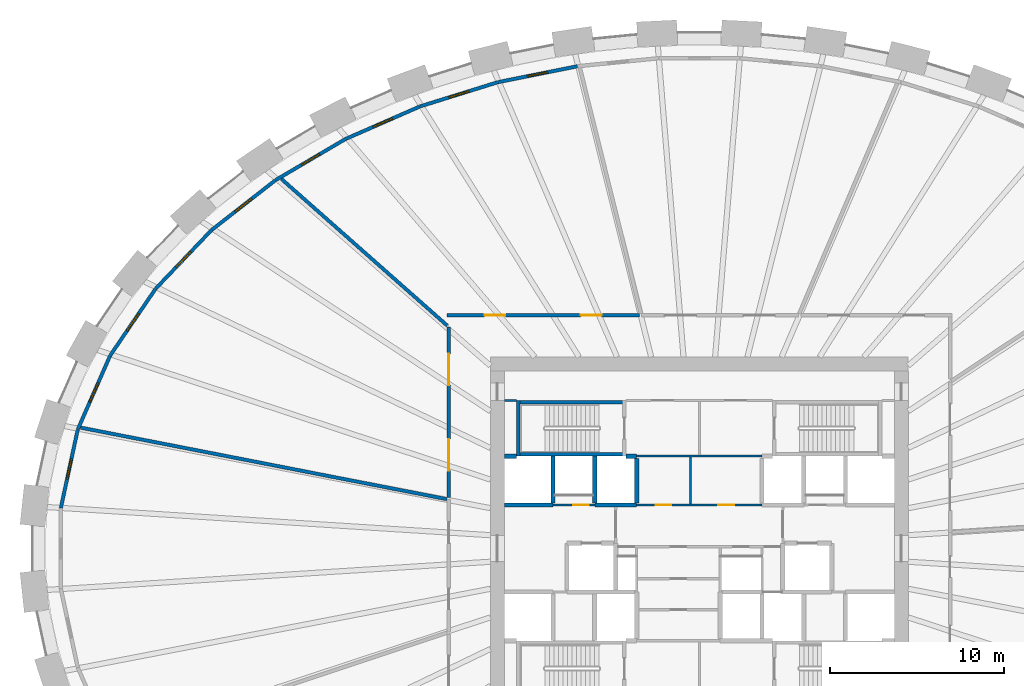
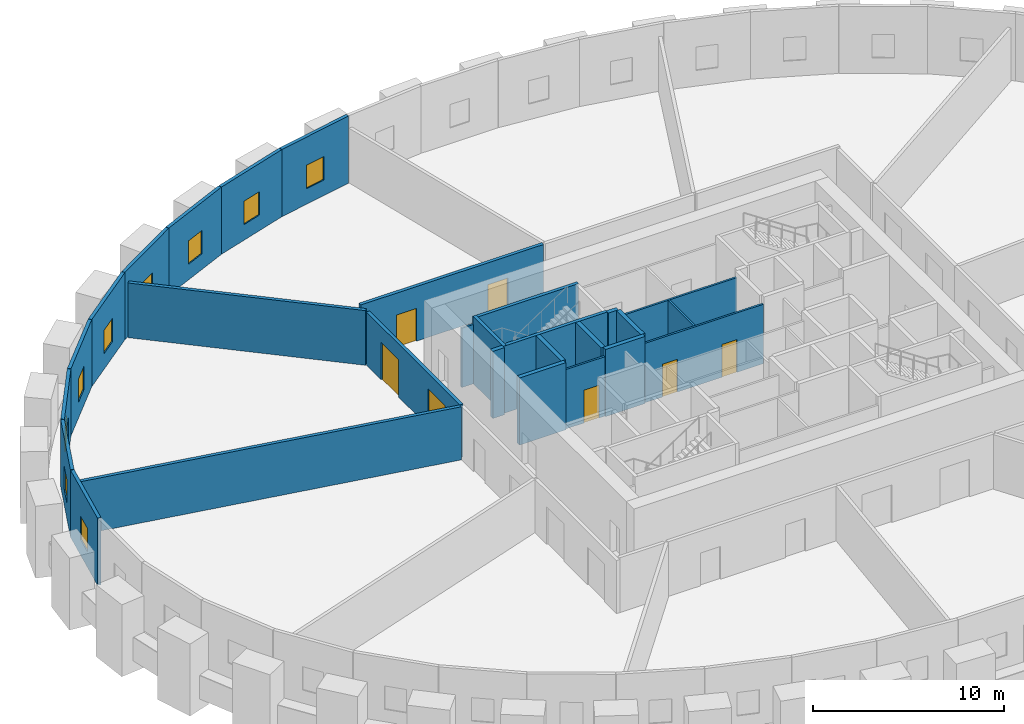
# One storey, part 6 of 9: 28 walls, 9 windows, 7 doors, 16 openings.
"""IFC4 building model written with IfcOpenShell, lengths in metres."""

import ifcopenshell
import ifcopenshell.guid

model = None  # the IFC model being written
_history = None  # IfcOwnerHistory: only IFC2X3 demands one
_inside = {}  # id of a spatial element -> (the spatial element, [elements in it])
_under = {}  # id of a project, library or spatial element -> (it, [spatial elements below it])
_declared = {}  # id of a project -> (the project, [libraries it declares])
_typed = {}  # id of a type object -> (the type object, [elements of that type])
_made_of = {}  # id of a material, layer set ... -> (it, [elements and type objects made of it])


def new_model(schema):
    """Start an empty IFC model of exactly this schema.

    Asked for "IFC4X3", IfcOpenShell would pick the latest addendum, in which some entities
    have other attributes; the version numbers below select the first issue.
    IFC2X3 requires an IfcOwnerHistory on every rooted entity: one is made here for all.
    """
    global model, _history
    if schema == "IFC4X3":
        model = ifcopenshell.file(schema_version=(4, 3, 0, 0))
    else:
        model = ifcopenshell.file(schema=schema)
    _inside.clear()
    _under.clear()
    _declared.clear()
    _typed.clear()
    _made_of.clear()
    _history = None
    if model.schema == "IFC2X3":
        org = make("IfcOrganization", Name="unknown")
        user = make(
            "IfcPersonAndOrganization",
            ThePerson=make("IfcPerson", FamilyName="unknown"),
            TheOrganization=org,
        )
        app = make(
            "IfcApplication",
            ApplicationDeveloper=org,
            Version="unknown",
            ApplicationFullName="unknown",
            ApplicationIdentifier="unknown",
        )
        _history = make(
            "IfcOwnerHistory",
            OwningUser=user,
            OwningApplication=app,
            ChangeAction="ADDED",
            CreationDate=0,
        )
    return model


def make(cls, **values):
    """One entity of the class cls with the attributes given. An attribute that is None is left unset."""
    return model.create_entity(
        cls, **{name: value for name, value in values.items() if value is not None}
    )


def rooted(cls, **values):
    """An entity with a GlobalId (a new one), such as an element, a storey or a relation."""
    return make(cls, GlobalId=ifcopenshell.guid.new(), OwnerHistory=_history, **values)


def si_unit(unit_type, name, prefix=None):
    """IfcSIUnit, for example si_unit("LENGTHUNIT", "METRE", prefix="MILLI")."""
    return make("IfcSIUnit", UnitType=unit_type, Prefix=prefix, Name=name)


def assignment(units):
    """IfcUnitAssignment: the units of a project."""
    return None if units is None else make("IfcUnitAssignment", Units=units)


def point(xyz):
    """IfcCartesianPoint."""
    return None if xyz is None else make("IfcCartesianPoint", Coordinates=xyz)


def direction(xyz):
    """IfcDirection."""
    return None if xyz is None else make("IfcDirection", DirectionRatios=xyz)


def frame(location, z_axis=None, x_axis=None):
    """IfcAxis2Placement3D, a coordinate frame: its origin and axes. An axis left out is left unset."""
    return make(
        "IfcAxis2Placement3D",
        Location=point(location),
        Axis=direction(z_axis),
        RefDirection=direction(x_axis),
    )


def frame_2d(location, x_axis=None):
    """IfcAxis2Placement2D, a coordinate frame in the plane: its origin and x axis."""
    return make(
        "IfcAxis2Placement2D", Location=point(location), RefDirection=direction(x_axis)
    )


def origin():
    """The frame at (0, 0, 0) with its axes left unset."""
    return frame((0.0, 0.0, 0.0))


def place(relative_to, where):
    """IfcLocalPlacement: puts the frame where relative to a parent placement (None: the world)."""
    return make(
        "IfcLocalPlacement", PlacementRelTo=relative_to, RelativePlacement=where
    )


def context(
    kind, dimensions, precision=None, world=None, true_north=None, identifier=None
):
    """IfcGeometricRepresentationContext, for example the 3D "Model" context."""
    return make(
        "IfcGeometricRepresentationContext",
        ContextIdentifier=identifier,
        ContextType=kind,
        CoordinateSpaceDimension=dimensions,
        Precision=precision,
        WorldCoordinateSystem=world,
        TrueNorth=true_north,
    )


def subcontext(parent, identifier, kind, view, scale=None):
    """IfcGeometricRepresentationSubContext, for example "Body" below "Model"."""
    return make(
        "IfcGeometricRepresentationSubContext",
        ContextIdentifier=identifier,
        ContextType=kind,
        ParentContext=parent,
        TargetScale=scale,
        TargetView=view,
    )


def project(units=None, contexts=None):
    """IfcProject with its units and contexts."""
    return rooted(
        "IfcProject",
        Name="project",
        RepresentationContexts=contexts,
        UnitsInContext=assignment(units),
    )


def spatial(cls, under=None, at=None, **own):
    """A site, building, storey or space (cls), placed at a placement, below another one or the project."""
    s = rooted(cls, ObjectPlacement=at, **own)
    if under is not None:
        _under.setdefault(under.id(), (under, []))[1].append(s)
    return s


def profile(cls, at=None, kind="AREA", **sizes):
    """A parametric profile (cls). Its sizes go by their IFC names, for example OverallWidth=200.0."""
    return make(cls, ProfileType=kind, Position=at, **sizes)


def rectangle(**sizes):
    """IfcRectangleProfileDef."""
    return profile("IfcRectangleProfileDef", **sizes)


def extrude(swept, where, along, depth):
    """IfcExtrudedAreaSolid: the profile swept, set in the frame where, extruded along a direction by depth."""
    return make(
        "IfcExtrudedAreaSolid",
        SweptArea=swept,
        Position=where,
        ExtrudedDirection=direction(along),
        Depth=depth,
    )


def shape(context_of_items, identifier, shape_type, items):
    """IfcShapeRepresentation: the items that make up one representation, for example the "Body"."""
    return make(
        "IfcShapeRepresentation",
        ContextOfItems=context_of_items,
        RepresentationIdentifier=identifier,
        RepresentationType=shape_type,
        Items=items,
    )


def source(mapping_origin, context_of_items, identifier, shape_type, items):
    """IfcRepresentationMap: a shape defined once, which mapped items show again and again."""
    return make(
        "IfcRepresentationMap",
        MappingOrigin=mapping_origin,
        MappedRepresentation=shape(context_of_items, identifier, shape_type, items),
    )


def transform(
    local_origin,
    x_axis=None,
    y_axis=None,
    z_axis=None,
    scale=None,
    scale2=None,
    scale3=None,
    uniform=True,
):
    """IfcCartesianTransformationOperator3D, or its non-uniform kind. x_axis, y_axis, z_axis: its Axis1, 2, 3."""
    if uniform:
        return make(
            "IfcCartesianTransformationOperator3D",
            Axis1=direction(x_axis),
            Axis2=direction(y_axis),
            LocalOrigin=point(local_origin),
            Scale=scale,
            Axis3=direction(z_axis),
        )
    return make(
        "IfcCartesianTransformationOperator3DnonUniform",
        Axis1=direction(x_axis),
        Axis2=direction(y_axis),
        LocalOrigin=point(local_origin),
        Scale=scale,
        Axis3=direction(z_axis),
        Scale2=scale2,
        Scale3=scale3,
    )


def mapped(mapping_source, mapping_target):
    """IfcMappedItem: shows the shape of a source again, moved by a transform."""
    return make(
        "IfcMappedItem", MappingSource=mapping_source, MappingTarget=mapping_target
    )


def material(Name=None, Category=None):
    """IfcMaterial."""
    return make("IfcMaterial", Name=Name, Category=Category)


def layer(
    of_material, thickness, ventilated=None, Name=None, Category=None, Priority=None
):
    """IfcMaterialLayer: one layer of a wall or slab, of a material (None: an air gap)."""
    return make(
        "IfcMaterialLayer",
        Material=of_material,
        LayerThickness=thickness,
        IsVentilated=ventilated,
        Name=Name,
        Category=Category,
        Priority=Priority,
    )


def layer_set(layers, Name=None):
    """IfcMaterialLayerSet."""
    return make("IfcMaterialLayerSet", MaterialLayers=layers, LayerSetName=Name)


def made_of(thing, what):
    """Note that an element or type object is made of a material, layer set ...; save() writes the relation."""
    if what is not None:
        _made_of.setdefault(what.id(), (what, []))[1].append(thing)
    return thing


def type_object(cls, material=None, **own):
    """A type object (cls), such as IfcWallType, which elements share."""
    return made_of(rooted(cls, **own), material)


def element(
    cls,
    number,
    at=None,
    inside=None,
    cuts=None,
    type_object=None,
    material=None,
    context=None,
    identifier="Body",
    shape_type=None,
    held_by="IfcProductDefinitionShape",
    body=None,
    shapes=None,
    **own,
):
    """One element of the class cls, such as IfcWall. Its Tag is "e" and its number.

    at: its placement. inside: the storey or other place that contains it. cuts: it is an
    opening in that element (IfcRelVoidsElement). A single representation is given by context,
    identifier, shape_type and body (its items); several are given by shapes. held_by: the class
    of the entity that holds the representations. save() writes the other relations.
    """
    e = rooted(cls, Tag="e%d" % number, ObjectPlacement=at, **own)
    if body is not None:
        shapes = [shape(context, identifier, shape_type, body)]
    if shapes is not None:
        e.Representation = make(held_by, Representations=shapes)
    if inside is not None:
        _inside.setdefault(inside.id(), (inside, []))[1].append(e)
    if cuts is not None:
        rooted(
            "IfcRelVoidsElement", RelatingBuildingElement=cuts, RelatedOpeningElement=e
        )
    if type_object is not None:
        _typed.setdefault(type_object.id(), (type_object, []))[1].append(e)
    return made_of(e, material)


def fill(opening, filler):
    """IfcRelFillsElement: the door or window that sits in an opening."""
    return rooted(
        "IfcRelFillsElement",
        RelatingOpeningElement=opening,
        RelatedBuildingElement=filler,
    )


def aggregate(whole, parts):
    """IfcRelAggregates: a whole, such as a stair, and the parts it consists of."""
    return rooted("IfcRelAggregates", RelatingObject=whole, RelatedObjects=parts)


def save(model, path):
    """Write the relations noted so far, then the file.

    IfcRelAggregates (storeys below a building ...), IfcRelContainedInSpatialStructure (elements
    in a storey), IfcRelDefinesByType, IfcRelAssociatesMaterial and IfcRelDeclares: one each for
    every whole, place, type object, material and project.
    """
    for whole, parts in _under.values():
        aggregate(whole, parts)
    for where, things in _inside.values():
        rooted(
            "IfcRelContainedInSpatialStructure",
            RelatedElements=things,
            RelatingStructure=where,
        )
    for kind, things in _typed.values():
        rooted("IfcRelDefinesByType", RelatedObjects=things, RelatingType=kind)
    for what, things in _made_of.values():
        rooted("IfcRelAssociatesMaterial", RelatedObjects=things, RelatingMaterial=what)
    for by, libraries in _declared.values():
        rooted("IfcRelDeclares", RelatingContext=by, RelatedDefinitions=libraries)
    model.write(path)


model = new_model("IFC4")

# Units and contexts
model_context = context("Model", 3, precision=1e-05, world=origin(), true_north=direction((0.0, 1.0)))
body_context = subcontext(model_context, "Body", "Model", "MODEL_VIEW")
ifc_project = project(units=[si_unit("LENGTHUNIT", "METRE"), si_unit("AREAUNIT", "SQUARE_METRE"), si_unit("VOLUMEUNIT", "CUBIC_METRE"), si_unit("PLANEANGLEUNIT", "RADIAN"), si_unit("MASSUNIT", "GRAM", prefix="KILO")], contexts=[model_context])

# Site, building, storey
site_placement = place(None, origin())
site = spatial("IfcSite", under=ifc_project, at=site_placement, CompositionType="ELEMENT")
building_placement = place(site_placement, origin())
building = spatial("IfcBuilding", under=site, at=building_placement, Name="Embergate Tower", CompositionType="ELEMENT")
storey_placement = place(building_placement, frame((0.0, 0.0, 147.60009765625)))
storey = spatial("IfcBuildingStorey", under=building, at=storey_placement, Name="L32", CompositionType="ELEMENT", Elevation=147.60009765625)

# Wall, opening, window
ifc_material_1 = material(Name="Terracotta louvre cladding on insulated backing", Category="masonry")
ifc_layer_1 = layer(ifc_material_1, 0.199951171875)
ifc_layer_set_1 = layer_set([ifc_layer_1], Name="Terracotta louvre cladding on insulated backing")
wall_type_1 = type_object("IfcWallType", Name="Terracotta louvre wall", PredefinedType="SOLIDWALL", material=ifc_layer_set_1)
shared_shape_1 = source(origin(), body_context, "Body", "SweptSolid", [
    extrude(rectangle(XDim=4.60693359375, YDim=0.199951171875, at=frame_2d((2.303466796875, 0.0))), origin(), (0.0, 0.0, 1.0), 4.2998046875),
])
wall_1_placement = place(storey_placement, frame((-36.6708984375, 2.322021484375, 0.0), z_axis=(0.0, 0.0, 1.0), x_axis=(0.210383104488, 0.977619020552, 0.0)))
wall_1 = element("IfcWall", 1, at=wall_1_placement, inside=storey, type_object=wall_type_1, Name="Louvre wall 21", PredefinedType="SOLIDWALL", context=body_context, shape_type="MappedRepresentation", body=[
    mapped(shared_shape_1, transform((0.0, 0.0, 0.0))),
])
shared_shape_2 = source(origin(), body_context, "Body", "SweptSolid", [
    extrude(rectangle(XDim=1.199951171875, YDim=1.5, at=frame_2d((0.60009765625, 0.75))), frame((0.0, 0.10986328125, 0.0), z_axis=(0.0, -1.0, 0.0), x_axis=(1.0, 0.0, 0.0)), (0.0, 0.0, 1.0), 0.219970703125),
])
opening_1_placement = place(wall_1_placement, frame((1.70361328125, 0.0, 1.0)))
opening_1 = element("IfcOpeningElement", 2, at=opening_1_placement, cuts=wall_1, Name="Opening RW", PredefinedType="OPENING", context=body_context, shape_type="MappedRepresentation", body=[
    mapped(shared_shape_2, transform((0.0, 0.0, 0.0))),
])
ifc_material_2 = material(Name="Aluminium, thermally broken, triple glazed", Category="aluminium")
window_type = type_object("IfcWindowType", Name="Refuge operable window", PartitioningType="SINGLE_PANEL", PredefinedType="WINDOW", material=ifc_material_2)
shared_shape_3 = source(origin(), body_context, "Body", "SweptSolid", [
    extrude(rectangle(XDim=1.199951171875, YDim=1.5, at=frame_2d((0.60009765625, 0.75))), frame((0.0, 0.030029296875, 0.0), z_axis=(0.0, -1.0, 0.0), x_axis=(1.0, 0.0, 0.0)), (0.0, 0.0, 1.0), 0.06005859375),
])
window_1_placement = place(opening_1_placement, origin())
window_1 = element("IfcWindow", 3, at=window_1_placement, inside=storey, type_object=window_type, Name="Refuge window 21", OverallHeight=1.5, OverallWidth=1.199951171875, PartitioningType="SINGLE_PANEL", PredefinedType="WINDOW", context=body_context, shape_type="MappedRepresentation", body=[
    mapped(shared_shape_3, transform((0.0, 0.0, 0.0))),
])
fill(opening_1, window_1)

shared_shape_4 = source(origin(), body_context, "Body", "SweptSolid", [
    extrude(rectangle(XDim=4.6142578125, YDim=0.199951171875, at=frame_2d((2.30712890625, 0.0))), origin(), (0.0, 0.0, 1.0), 4.2998046875),
])
wall_2_placement = place(storey_placement, frame((-35.695556640625, 6.844970703125, 0.0), z_axis=(0.0, 0.0, 1.0), x_axis=(0.40163191284, 0.915801182893, 0.0)))
wall_2 = element("IfcWall", 4, at=wall_2_placement, inside=storey, type_object=wall_type_1, Name="Louvre wall 20", PredefinedType="SOLIDWALL", context=body_context, shape_type="MappedRepresentation", body=[
    mapped(shared_shape_4, transform((0.0, 0.0, 0.0))),
])
opening_2_placement = place(wall_2_placement, frame((1.70703125, 0.0, 1.0)))
opening_2 = element("IfcOpeningElement", 5, at=opening_2_placement, cuts=wall_2, Name="Opening RW", PredefinedType="OPENING", context=body_context, shape_type="MappedRepresentation", body=[
    mapped(shared_shape_2, transform((0.0, 0.0, 0.0))),
])
window_2_placement = place(opening_2_placement, origin())
window_2 = element("IfcWindow", 6, at=window_2_placement, inside=storey, type_object=window_type, Name="Refuge window 20", OverallHeight=1.5, OverallWidth=1.199951171875, PartitioningType="SINGLE_PANEL", PredefinedType="WINDOW", context=body_context, shape_type="MappedRepresentation", body=[
    mapped(shared_shape_3, transform((0.0, 0.0, 0.0))),
])
fill(opening_2, window_2)

shared_shape_5 = source(origin(), body_context, "Body", "SweptSolid", [
    extrude(rectangle(XDim=4.623291015625, YDim=0.199951171875, at=frame_2d((2.3115234375, 0.0))), origin(), (0.0, 0.0, 1.0), 4.2998046875),
])
wall_3_placement = place(storey_placement, frame((-33.83251953125, 11.088134765625, 0.0), z_axis=(0.0, 0.0, 1.0), x_axis=(0.562341797636, 0.826904893341, 0.0)))
wall_3 = element("IfcWall", 7, at=wall_3_placement, inside=storey, type_object=wall_type_1, Name="Louvre wall 19", PredefinedType="SOLIDWALL", context=body_context, shape_type="MappedRepresentation", body=[
    mapped(shared_shape_5, transform((0.0, 0.0, 0.0))),
])
opening_3_placement = place(wall_3_placement, frame((1.711669921875, 0.0, 1.0)))
opening_3 = element("IfcOpeningElement", 8, at=opening_3_placement, cuts=wall_3, Name="Opening RW", PredefinedType="OPENING", context=body_context, shape_type="MappedRepresentation", body=[
    mapped(shared_shape_2, transform((0.0, 0.0, 0.0))),
])
window_3_placement = place(opening_3_placement, origin())
window_3 = element("IfcWindow", 9, at=window_3_placement, inside=storey, type_object=window_type, Name="Refuge window 19", OverallHeight=1.5, OverallWidth=1.199951171875, PartitioningType="SINGLE_PANEL", PredefinedType="WINDOW", context=body_context, shape_type="MappedRepresentation", body=[
    mapped(shared_shape_3, transform((0.0, 0.0, 0.0))),
])
fill(opening_3, window_3)

shared_shape_6 = source(origin(), body_context, "Body", "SweptSolid", [
    extrude(rectangle(XDim=4.63232421875, YDim=0.199951171875, at=frame_2d((2.316162109375, 0.0))), origin(), (0.0, 0.0, 1.0), 4.2998046875),
])
wall_4_placement = place(storey_placement, frame((-31.22021484375, 14.926513671875, 0.0), z_axis=(0.0, 0.0, 1.0), x_axis=(0.690148517333, 0.723667758037, 0.0)))
wall_4 = element("IfcWall", 10, at=wall_4_placement, inside=storey, type_object=wall_type_1, Name="Louvre wall 18", PredefinedType="SOLIDWALL", context=body_context, shape_type="MappedRepresentation", body=[
    mapped(shared_shape_6, transform((0.0, 0.0, 0.0))),
])
opening_4_placement = place(wall_4_placement, frame((1.716064453125, 0.0, 1.0)))
opening_4 = element("IfcOpeningElement", 11, at=opening_4_placement, cuts=wall_4, Name="Opening RW", PredefinedType="OPENING", context=body_context, shape_type="MappedRepresentation", body=[
    mapped(shared_shape_2, transform((0.0, 0.0, 0.0))),
])
window_4_placement = place(opening_4_placement, origin())
window_4 = element("IfcWindow", 12, at=window_4_placement, inside=storey, type_object=window_type, Name="Refuge window 18", OverallHeight=1.5, OverallWidth=1.199951171875, PartitioningType="SINGLE_PANEL", PredefinedType="WINDOW", context=body_context, shape_type="MappedRepresentation", body=[
    mapped(shared_shape_3, transform((0.0, 0.0, 0.0))),
])
fill(opening_4, window_4)

shared_shape_7 = source(origin(), body_context, "Body", "SweptSolid", [
    extrude(rectangle(XDim=4.639892578125, YDim=0.199951171875, at=frame_2d((2.31982421875, 0.0))), origin(), (0.0, 0.0, 1.0), 4.2998046875),
])
wall_5_placement = place(storey_placement, frame((-28.008544921875, 18.292236328125, 0.0), z_axis=(0.0, 0.0, 1.0), x_axis=(0.788322630582, 0.615262082459, 0.0)))
wall_5 = element("IfcWall", 13, at=wall_5_placement, inside=storey, type_object=wall_type_1, Name="Louvre wall 17", PredefinedType="SOLIDWALL", context=body_context, shape_type="MappedRepresentation", body=[
    mapped(shared_shape_7, transform((0.0, 0.0, 0.0))),
])
opening_5_placement = place(wall_5_placement, frame((1.719970703125, 0.0, 1.0)))
opening_5 = element("IfcOpeningElement", 14, at=opening_5_placement, cuts=wall_5, Name="Opening RW", PredefinedType="OPENING", context=body_context, shape_type="MappedRepresentation", body=[
    mapped(shared_shape_2, transform((0.0, 0.0, 0.0))),
])
window_5_placement = place(opening_5_placement, origin())
window_5 = element("IfcWindow", 15, at=window_5_placement, inside=storey, type_object=window_type, Name="Refuge window 17", OverallHeight=1.5, OverallWidth=1.199951171875, PartitioningType="SINGLE_PANEL", PredefinedType="WINDOW", context=body_context, shape_type="MappedRepresentation", body=[
    mapped(shared_shape_3, transform((0.0, 0.0, 0.0))),
])
fill(opening_5, window_5)

shared_shape_8 = source(origin(), body_context, "Body", "SweptSolid", [
    extrude(rectangle(XDim=4.64599609375, YDim=0.199951171875, at=frame_2d((2.322998046875, 0.0))), origin(), (0.0, 0.0, 1.0), 4.2998046875),
])
wall_6_placement = place(storey_placement, frame((-24.33447265625, 21.158203125, 0.0), z_axis=(0.0, 0.0, 1.0), x_axis=(0.86207197338, 0.506785864753, 0.0)))
wall_6 = element("IfcWall", 16, at=wall_6_placement, inside=storey, type_object=wall_type_1, Name="Louvre wall 16", PredefinedType="SOLIDWALL", context=body_context, shape_type="MappedRepresentation", body=[
    mapped(shared_shape_8, transform((0.0, 0.0, 0.0))),
])
opening_6_placement = place(wall_6_placement, frame((1.722900390625, 0.0, 1.0)))
opening_6 = element("IfcOpeningElement", 17, at=opening_6_placement, cuts=wall_6, Name="Opening RW", PredefinedType="OPENING", context=body_context, shape_type="MappedRepresentation", body=[
    mapped(shared_shape_2, transform((0.0, 0.0, 0.0))),
])
window_6_placement = place(opening_6_placement, origin())
window_6 = element("IfcWindow", 18, at=window_6_placement, inside=storey, type_object=window_type, Name="Refuge window 16", OverallHeight=1.5, OverallWidth=1.199951171875, PartitioningType="SINGLE_PANEL", PredefinedType="WINDOW", context=body_context, shape_type="MappedRepresentation", body=[
    mapped(shared_shape_3, transform((0.0, 0.0, 0.0))),
])
fill(opening_6, window_6)

shared_shape_9 = source(origin(), body_context, "Body", "SweptSolid", [
    extrude(rectangle(XDim=4.650634765625, YDim=0.199951171875, at=frame_2d((2.3251953125, 0.0))), origin(), (0.0, 0.0, 1.0), 4.2998046875),
])
wall_7_placement = place(storey_placement, frame((-20.3115234375, 23.521728515625, 0.0), z_axis=(0.0, 0.0, 1.0), x_axis=(0.916228406461, 0.400656345506, 0.0)))
wall_7 = element("IfcWall", 19, at=wall_7_placement, inside=storey, type_object=wall_type_1, Name="Louvre wall 15", PredefinedType="SOLIDWALL", context=body_context, shape_type="MappedRepresentation", body=[
    mapped(shared_shape_9, transform((0.0, 0.0, 0.0))),
])
opening_7_placement = place(wall_7_placement, frame((1.725341796875, 0.0, 1.0)))
opening_7 = element("IfcOpeningElement", 20, at=opening_7_placement, cuts=wall_7, Name="Opening RW", PredefinedType="OPENING", context=body_context, shape_type="MappedRepresentation", body=[
    mapped(shared_shape_2, transform((0.0, 0.0, 0.0))),
])
window_7_placement = place(opening_7_placement, origin())
window_7 = element("IfcWindow", 21, at=window_7_placement, inside=storey, type_object=window_type, Name="Refuge window 15", OverallHeight=1.5, OverallWidth=1.199951171875, PartitioningType="SINGLE_PANEL", PredefinedType="WINDOW", context=body_context, shape_type="MappedRepresentation", body=[
    mapped(shared_shape_3, transform((0.0, 0.0, 0.0))),
])
fill(opening_7, window_7)

shared_shape_10 = source(origin(), body_context, "Body", "SweptSolid", [
    extrude(rectangle(XDim=4.654052734375, YDim=0.199951171875, at=frame_2d((2.3271484375, 0.0))), origin(), (0.0, 0.0, 1.0), 4.2998046875),
])
wall_8_placement = place(storey_placement, frame((-16.031982421875, 25.39208984375, 0.0), z_axis=(0.0, 0.0, 1.0), x_axis=(0.954775397465, 0.297328001364, 0.0)))
wall_8 = element("IfcWall", 22, at=wall_8_placement, inside=storey, type_object=wall_type_1, Name="Louvre wall 14", PredefinedType="SOLIDWALL", context=body_context, shape_type="MappedRepresentation", body=[
    mapped(shared_shape_10, transform((0.0, 0.0, 0.0))),
])
opening_8_placement = place(wall_8_placement, frame((1.72705078125, 0.0, 1.0)))
opening_8 = element("IfcOpeningElement", 23, at=opening_8_placement, cuts=wall_8, Name="Opening RW", PredefinedType="OPENING", context=body_context, shape_type="MappedRepresentation", body=[
    mapped(shared_shape_2, transform((0.0, 0.0, 0.0))),
])
window_8_placement = place(opening_8_placement, origin())
window_8 = element("IfcWindow", 24, at=window_8_placement, inside=storey, type_object=window_type, Name="Refuge window 14", OverallHeight=1.5, OverallWidth=1.199951171875, PartitioningType="SINGLE_PANEL", PredefinedType="WINDOW", context=body_context, shape_type="MappedRepresentation", body=[
    mapped(shared_shape_3, transform((0.0, 0.0, 0.0))),
])
fill(opening_8, window_8)

shared_shape_11 = source(origin(), body_context, "Body", "SweptSolid", [
    extrude(rectangle(XDim=4.656005859375, YDim=0.199951171875, at=frame_2d((2.328125, 0.0))), origin(), (0.0, 0.0, 1.0), 4.2998046875),
])
wall_9_placement = place(storey_placement, frame((-11.569091796875, 26.78076171875, 0.0), z_axis=(0.0, 0.0, 1.0), x_axis=(0.980477688028, 0.196630372218, 0.0)))
wall_9 = element("IfcWall", 25, at=wall_9_placement, inside=storey, type_object=wall_type_1, Name="Louvre wall 13", PredefinedType="SOLIDWALL", context=body_context, shape_type="MappedRepresentation", body=[
    mapped(shared_shape_11, transform((0.0, 0.0, 0.0))),
])
opening_9_placement = place(wall_9_placement, frame((1.72802734375, 0.0, 1.0)))
opening_9 = element("IfcOpeningElement", 26, at=opening_9_placement, cuts=wall_9, Name="Opening RW", PredefinedType="OPENING", context=body_context, shape_type="MappedRepresentation", body=[
    mapped(shared_shape_2, transform((0.0, 0.0, 0.0))),
])
window_9_placement = place(opening_9_placement, origin())
window_9 = element("IfcWindow", 27, at=window_9_placement, inside=storey, type_object=window_type, Name="Refuge window 13", OverallHeight=1.5, OverallWidth=1.199951171875, PartitioningType="SINGLE_PANEL", PredefinedType="WINDOW", context=body_context, shape_type="MappedRepresentation", body=[
    mapped(shared_shape_3, transform((0.0, 0.0, 0.0))),
])
fill(opening_9, window_9)

# Walls
ifc_material_3 = material(Name="Concrete C50", Category="concrete")
ifc_layer_2 = layer(ifc_material_3, 0.25)
ifc_layer_set_2 = layer_set([ifc_layer_2], Name="Concrete C50")
wall_type_2 = type_object("IfcWallType", Name="Hoistway wall reinforced concrete 250", PredefinedType="SHEAR", material=ifc_layer_set_2)
shared_shape_12 = source(origin(), body_context, "Body", "SweptSolid", [
    extrude(rectangle(XDim=2.675048828125, YDim=0.25, at=frame_2d((1.33740234375, 0.0))), origin(), (0.0, 0.0, 1.0), 4.2998046875),
])
for number, where, z_axis, x_axis, name in (
    (28, (-8.39990234375, 2.625, 0.0), (0.0, 0.0, 1.0), (0.0, 1.0, 0.0), "HW-1 wall"),
    (29, (-6.0, 2.625, 0.0), (0.0, 0.0, 1.0), (0.0, 1.0, 0.0), "HW-1 wall"),
):
    element("IfcWall", number, at=place(storey_placement, frame(where, z_axis=z_axis, x_axis=x_axis)), inside=storey, type_object=wall_type_2, Name=name, PredefinedType="SHEAR", context=body_context, shape_type="MappedRepresentation", body=[
        mapped(shared_shape_12, transform((0.0, 0.0, 0.0))),
    ])
ifc_layer_3 = layer(ifc_material_3, 0.199951171875)
ifc_layer_set_3 = layer_set([ifc_layer_3], Name="Concrete C50")
wall_type_3 = type_object("IfcWallType", Name="Stair enclosure wall reinforced concrete 250", PredefinedType="SHEAR", material=ifc_layer_set_3)
shared_shape_13 = source(origin(), body_context, "Body", "SweptSolid", [
    extrude(rectangle(XDim=6.300048828125, YDim=0.199951171875, at=frame_2d((3.14990234375, 0.0))), origin(), (0.0, 0.0, 1.0), 4.2998046875),
])
for number, where, z_axis, x_axis, name in (
    (30, (-4.199951171875, 5.39990234375, 0.0), (0.0, 0.0, 1.0), (-1.0, 0.0, 0.0), "SE-1 wall"),
    (31, (-4.199951171875, 8.39990234375, 0.0), (0.0, 0.0, 1.0), (-1.0, 0.0, 0.0), "SE-1 wall"),
):
    element("IfcWall", number, at=place(storey_placement, frame(where, z_axis=z_axis, x_axis=x_axis)), inside=storey, type_object=wall_type_3, Name=name, PredefinedType="SHEAR", context=body_context, shape_type="MappedRepresentation", body=[
        mapped(shared_shape_13, transform((0.0, 0.0, 0.0))),
    ])
shared_shape_14 = source(origin(), body_context, "Body", "SweptSolid", [
    extrude(rectangle(XDim=2.550048828125, YDim=0.25, at=frame_2d((1.27490234375, 0.0))), origin(), (0.0, 0.0, 1.0), 4.2998046875),
])
wall_10_placement = place(storey_placement, frame((-3.60009765625, 2.625, 0.0), z_axis=(0.0, 0.0, 1.0), x_axis=(0.0, 1.0, 0.0)))
element("IfcWall", 32, at=wall_10_placement, inside=storey, type_object=wall_type_2, Name="HW-1 wall", PredefinedType="SHEAR", context=body_context, shape_type="MappedRepresentation", body=[
    mapped(shared_shape_14, transform((0.0, 0.0, 0.0))),
])
shared_shape_15 = source(origin(), body_context, "Body", "SweptSolid", [
    extrude(rectangle(XDim=2.39990234375, YDim=0.25, at=frame_2d((1.199951171875, 0.0))), origin(), (0.0, 0.0, 1.0), 4.2998046875),
])
wall_11_placement = place(storey_placement, frame((-6.0, 2.5, 0.0), z_axis=(0.0, 0.0, 1.0), x_axis=(1.0, 0.0, 0.0)))
element("IfcWall", 33, at=wall_11_placement, inside=storey, type_object=wall_type_2, Name="HW-1 wall", PredefinedType="SHEAR", context=body_context, shape_type="MappedRepresentation", body=[
    mapped(shared_shape_15, transform((0.0, 0.0, 0.0))),
])
ifc_material_4 = material(Name="Core partition blockwork 120")
ifc_layer_4 = layer(ifc_material_4, 0.1201171875)
ifc_layer_set_4 = layer_set([ifc_layer_4], Name="Core partition blockwork 120")
wall_type_4 = type_object("IfcWallType", Name="Core partition blockwork 120", PredefinedType="PARTITIONING", material=ifc_layer_set_4)
shared_shape_16 = source(origin(), body_context, "Body", "SweptSolid", [
    extrude(rectangle(XDim=2.679931640625, YDim=0.1201171875, at=frame_2d((1.33984375, 0.0))), origin(), (0.0, 0.0, 1.0), 3.7998046875),
])
wall_12_placement = place(storey_placement, frame((-0.50390625, 2.56005859375, 0.0), z_axis=(0.0, 0.0, 1.0), x_axis=(0.0, 1.0, 0.0)))
element("IfcWall", 34, at=wall_12_placement, inside=storey, type_object=wall_type_4, Name="IP-3 wall", PredefinedType="PARTITIONING", context=body_context, shape_type="MappedRepresentation", body=[
    mapped(shared_shape_16, transform((0.0, 0.0, 0.0))),
])
shared_shape_17 = source(origin(), body_context, "Body", "SweptSolid", [
    extrude(rectangle(XDim=2.800048828125, YDim=0.25, at=frame_2d((1.39990234375, 0.0))), origin(), (0.0, 0.0, 1.0), 4.2998046875),
])
wall_13_placement = place(storey_placement, frame((-11.199951171875, 2.5, 0.0), z_axis=(0.0, 0.0, 1.0), x_axis=(1.0, 0.0, 0.0)))
element("IfcWall", 35, at=wall_13_placement, inside=storey, type_object=wall_type_2, Name="HW-1 wall", PredefinedType="SHEAR", context=body_context, shape_type="MappedRepresentation", body=[
    mapped(shared_shape_17, transform((0.0, 0.0, 0.0))),
])

# Wall, opening, door
shared_shape_18 = source(origin(), body_context, "Body", "SweptSolid", [
    extrude(rectangle(XDim=2.39990234375, YDim=0.1201171875, at=frame_2d((1.199951171875, 0.0))), origin(), (0.0, 0.0, 1.0), 3.7998046875),
])
wall_14_placement = place(storey_placement, frame((-8.39990234375, 2.5, 0.0), z_axis=(0.0, 0.0, 1.0), x_axis=(1.0, 0.0, 0.0)))
wall_14 = element("IfcWall", 36, at=wall_14_placement, inside=storey, type_object=wall_type_4, Name="IP-3 wall", PredefinedType="PARTITIONING", context=body_context, shape_type="MappedRepresentation", body=[
    mapped(shared_shape_18, transform((0.0, 0.0, 0.0))),
])
shared_shape_19 = source(origin(), body_context, "Body", "SweptSolid", [
    extrude(rectangle(XDim=0.89990234375, YDim=2.10009765625, at=frame_2d((0.449951171875, 1.050048828125))), frame((0.0, 0.070068359375, 0.0), z_axis=(0.0, -1.0, 0.0), x_axis=(1.0, 0.0, 0.0)), (0.0, 0.0, 1.0), 0.14013671875),
])
opening_10_placement = place(wall_14_placement, frame((1.14990234375, 0.0, 0.0)))
opening_10 = element("IfcOpeningElement", 37, at=opening_10_placement, cuts=wall_14, Name="Opening ID-1", PredefinedType="OPENING", context=body_context, shape_type="MappedRepresentation", body=[
    mapped(shared_shape_19, transform((0.0, 0.0, 0.0))),
])
ifc_material_5 = material(Name="Interior door 900")
door_type_1 = type_object("IfcDoorType", Name="Interior door 900", OperationType="SINGLE_SWING_LEFT", PredefinedType="DOOR", material=ifc_material_5)
shared_shape_20 = source(origin(), body_context, "Body", "SweptSolid", [
    extrude(rectangle(XDim=0.89990234375, YDim=2.10009765625, at=frame_2d((0.449951171875, 1.050048828125))), frame((0.0, 0.02490234375, 0.0), z_axis=(0.0, -1.0, 0.0), x_axis=(1.0, 0.0, 0.0)), (0.0, 0.0, 1.0), 0.050048828125),
])
door_1_placement = place(opening_10_placement, origin())
door_1 = element("IfcDoor", 38, at=door_1_placement, inside=storey, type_object=door_type_1, Name="ID-1 door", OperationType="SINGLE_SWING_LEFT", OverallHeight=2.10009765625, OverallWidth=0.89990234375, PredefinedType="DOOR", context=body_context, shape_type="MappedRepresentation", body=[
    mapped(shared_shape_20, transform((0.0, 0.0, 0.0))),
])
fill(opening_10, door_1)

# Wall
shared_shape_21 = source(origin(), body_context, "Body", "SweptSolid", [
    extrude(rectangle(XDim=0.599853515625, YDim=0.25, at=frame_2d((0.2998046875, 0.0))), origin(), (0.0, 0.0, 1.0), 4.2998046875),
])
wall_15_placement = place(storey_placement, frame((-3.60009765625, 5.300048828125, 0.0), z_axis=(0.0, 0.0, 1.0), x_axis=(-1.0, 0.0, 0.0)))
element("IfcWall", 39, at=wall_15_placement, inside=storey, type_object=wall_type_2, Name="HW-1 wall", PredefinedType="SHEAR", context=body_context, shape_type="MappedRepresentation", body=[
    mapped(shared_shape_21, transform((0.0, 0.0, 0.0))),
])

# Wall, openings, doors
shared_shape_22 = source(origin(), body_context, "Body", "SweptSolid", [
    extrude(rectangle(XDim=7.2001953125, YDim=0.1201171875, at=frame_2d((3.60009765625, 0.0))), origin(), (0.0, 0.0, 1.0), 3.7998046875),
])
wall_16_placement = place(storey_placement, frame((3.60009765625, 2.5, 0.0), z_axis=(0.0, 0.0, 1.0), x_axis=(-1.0, 0.0, 0.0)))
wall_16 = element("IfcWall", 40, at=wall_16_placement, inside=storey, type_object=wall_type_4, Name="IP-3 wall", PredefinedType="PARTITIONING", context=body_context, shape_type="MappedRepresentation", body=[
    mapped(shared_shape_22, transform((0.0, 0.0, 0.0))),
])
opening_11_placement = place(wall_16_placement, frame((5.201904296875, 0.0, 0.0)))
opening_11 = element("IfcOpeningElement", 41, at=opening_11_placement, cuts=wall_16, Name="Opening ID-1", PredefinedType="OPENING", context=body_context, shape_type="MappedRepresentation", body=[
    mapped(shared_shape_19, transform((0.0, 0.0, 0.0))),
])
opening_12_placement = place(wall_16_placement, frame((1.60205078125, 0.0, 0.0)))
opening_12 = element("IfcOpeningElement", 42, at=opening_12_placement, cuts=wall_16, Name="Opening ID-1", PredefinedType="OPENING", context=body_context, shape_type="MappedRepresentation", body=[
    mapped(shared_shape_19, transform((0.0, 0.0, 0.0))),
])
door_2_placement = place(opening_11_placement, origin())
door_2 = element("IfcDoor", 43, at=door_2_placement, inside=storey, type_object=door_type_1, Name="ID-1 door", OperationType="SINGLE_SWING_RIGHT", OverallHeight=2.10009765625, OverallWidth=0.89990234375, PredefinedType="DOOR", context=body_context, shape_type="MappedRepresentation", body=[
    mapped(shared_shape_20, transform((0.0, 0.0, 0.0))),
])
fill(opening_11, door_2)
door_3_placement = place(opening_12_placement, origin())
door_3 = element("IfcDoor", 44, at=door_3_placement, inside=storey, type_object=door_type_1, Name="ID-1 door", OperationType="SINGLE_SWING_RIGHT", OverallHeight=2.10009765625, OverallWidth=0.89990234375, PredefinedType="DOOR", context=body_context, shape_type="MappedRepresentation", body=[
    mapped(shared_shape_20, transform((0.0, 0.0, 0.0))),
])
fill(opening_12, door_3)

# Walls
wall_17_placement = place(storey_placement, frame((-3.60009765625, 5.300048828125, 0.0), z_axis=(0.0, 0.0, 1.0), x_axis=(1.0, 0.0, 0.0)))
element("IfcWall", 45, at=wall_17_placement, inside=storey, type_object=wall_type_4, Name="IP-3 wall", PredefinedType="PARTITIONING", context=body_context, shape_type="MappedRepresentation", body=[
    mapped(shared_shape_22, transform((0.0, 0.0, 0.0))),
])
shared_shape_23 = source(origin(), body_context, "Body", "SweptSolid", [
    extrude(rectangle(XDim=3.196044921875, YDim=0.199951171875, at=frame_2d((1.59814453125, 0.0))), origin(), (0.0, 0.0, 1.0), 4.2998046875),
])
wall_18_placement = place(storey_placement, frame((-10.39990234375, 8.498046875, 0.0), z_axis=(0.0, 0.0, 1.0), x_axis=(0.0, -1.0, 0.0)))
element("IfcWall", 46, at=wall_18_placement, inside=storey, type_object=wall_type_3, Name="SE-1 wall", PredefinedType="SHEAR", context=body_context, shape_type="MappedRepresentation", body=[
    mapped(shared_shape_23, transform((0.0, 0.0, 0.0))),
])
shared_shape_24 = source(origin(), body_context, "Body", "SweptSolid", [
    extrude(rectangle(XDim=0.697998046875, YDim=0.25, at=frame_2d((0.34912109375, 0.0))), origin(), (0.0, 0.0, 1.0), 4.2998046875),
])
wall_19_placement = place(storey_placement, frame((-10.501953125, 5.300048828125, 0.0), z_axis=(0.0, 0.0, 1.0), x_axis=(-1.0, 0.0, 0.0)))
element("IfcWall", 47, at=wall_19_placement, inside=storey, type_object=wall_type_2, Name="HW-1 wall", PredefinedType="SHEAR", context=body_context, shape_type="MappedRepresentation", body=[
    mapped(shared_shape_24, transform((0.0, 0.0, 0.0))),
])
shared_shape_25 = source(origin(), body_context, "Body", "SweptSolid", [
    extrude(rectangle(XDim=0.697998046875, YDim=0.1201171875, at=frame_2d((0.34912109375, 0.0))), origin(), (0.0, 0.0, 1.0), 3.7998046875),
])
wall_20_placement = place(storey_placement, frame((-11.199951171875, 8.5, 0.0), z_axis=(0.0, 0.0, 1.0), x_axis=(1.0, 0.0, 0.0)))
element("IfcWall", 48, at=wall_20_placement, inside=storey, type_object=wall_type_4, Name="IP-3 wall", PredefinedType="PARTITIONING", context=body_context, shape_type="MappedRepresentation", body=[
    mapped(shared_shape_25, transform((0.0, 0.0, 0.0))),
])
ifc_material_6 = material(Name="Blockwork, plastered", Category="masonry")
ifc_layer_5 = layer(ifc_material_6, 0.199951171875)
ifc_layer_set_5 = layer_set([ifc_layer_5], Name="Blockwork, plastered")
wall_type_5 = type_object("IfcWallType", Name="Fire partition wall 200 block", PredefinedType="PARTITIONING", material=ifc_layer_set_5)
shared_shape_26 = source(origin(), body_context, "Body", "SweptSolid", [
    extrude(rectangle(XDim=21.43359375, YDim=0.199951171875, at=frame_2d((10.716796875, 0.0))), origin(), (0.0, 0.0, 1.0), 3.39990234375),
])
wall_21_placement = place(storey_placement, frame((-14.498046875, 2.83203125, 0.0), z_axis=(0.0, 0.0, 1.0), x_axis=(-0.981444087062, 0.191748543593, 0.0)))
element("IfcWall", 49, at=wall_21_placement, inside=storey, type_object=wall_type_5, Name="Partition 004", PredefinedType="PARTITIONING", context=body_context, shape_type="MappedRepresentation", body=[
    mapped(shared_shape_26, transform((0.0, 0.0, 0.0))),
])

# Wall, openings, doors
shared_shape_27 = source(origin(), body_context, "Body", "SweptSolid", [
    extrude(rectangle(XDim=9.809814453125, YDim=0.199951171875, at=frame_2d((4.90478515625, 0.0))), origin(), (0.0, 0.0, 1.0), 3.39990234375),
])
wall_22_placement = place(storey_placement, frame((-14.39990234375, 2.923095703125, 0.0), z_axis=(0.0, 0.0, 1.0), x_axis=(0.0, 1.0, 0.0)))
wall_22 = element("IfcWall", 50, at=wall_22_placement, inside=storey, type_object=wall_type_5, Name="Partition 005", PredefinedType="PARTITIONING", context=body_context, shape_type="MappedRepresentation", body=[
    mapped(shared_shape_27, transform((0.0, 0.0, 0.0))),
])
shared_shape_28 = source(origin(), body_context, "Body", "SweptSolid", [
    extrude(rectangle(XDim=1.800048828125, YDim=2.39990234375, at=frame_2d((0.89990234375, 1.199951171875))), frame((0.0, 0.10986328125, 0.0), z_axis=(0.0, -1.0, 0.0), x_axis=(1.0, 0.0, 0.0)), (0.0, 0.0, 1.0), 0.219970703125),
])
opening_13_placement = place(wall_22_placement, frame((1.552978515625, 0.0, 0.0)))
opening_13 = element("IfcOpeningElement", 51, at=opening_13_placement, cuts=wall_22, Name="Opening DS-185", PredefinedType="OPENING", context=body_context, shape_type="MappedRepresentation", body=[
    mapped(shared_shape_28, transform((0.0, 0.0, 0.0))),
])
opening_14_placement = place(wall_22_placement, frame((6.45703125, 0.0, 0.0)))
opening_14 = element("IfcOpeningElement", 52, at=opening_14_placement, cuts=wall_22, Name="Opening DS-186", PredefinedType="OPENING", context=body_context, shape_type="MappedRepresentation", body=[
    mapped(shared_shape_28, transform((0.0, 0.0, 0.0))),
])
ifc_material_7 = material(Name="Timber door leaf, steel frame", Category="steel")
door_type_2 = type_object("IfcDoorType", Name="Double door 1800x2400", OperationType="DOUBLE_DOOR_SINGLE_SWING", PredefinedType="DOOR", material=ifc_material_7)
shared_shape_29 = source(origin(), body_context, "Body", "SweptSolid", [
    extrude(rectangle(XDim=1.800048828125, YDim=2.39990234375, at=frame_2d((0.89990234375, 1.199951171875))), frame((0.0, 0.02490234375, 0.0), z_axis=(0.0, -1.0, 0.0), x_axis=(1.0, 0.0, 0.0)), (0.0, 0.0, 1.0), 0.050048828125),
])
door_4_placement = place(opening_13_placement, origin())
door_4 = element("IfcDoor", 53, at=door_4_placement, inside=storey, type_object=door_type_2, Name="Door to Refuge area", OperationType="SINGLE_SWING_LEFT", OverallHeight=2.39990234375, OverallWidth=1.800048828125, PredefinedType="DOOR", context=body_context, shape_type="MappedRepresentation", body=[
    mapped(shared_shape_29, transform((0.0, 0.0, 0.0))),
])
fill(opening_13, door_4)
door_5_placement = place(opening_14_placement, origin())
door_5 = element("IfcDoor", 54, at=door_5_placement, inside=storey, type_object=door_type_2, Name="Door to Refuge area", OperationType="SINGLE_SWING_LEFT", OverallHeight=2.39990234375, OverallWidth=1.800048828125, PredefinedType="DOOR", context=body_context, shape_type="MappedRepresentation", body=[
    mapped(shared_shape_29, transform((0.0, 0.0, 0.0))),
])
fill(opening_14, door_5)

# Wall
shared_shape_30 = source(origin(), body_context, "Body", "SweptSolid", [
    extrude(rectangle(XDim=12.717041015625, YDim=0.199951171875, at=frame_2d((6.3583984375, 0.0))), origin(), (0.0, 0.0, 1.0), 3.5),
])
wall_23_placement = place(storey_placement, frame((-14.47509765625, 12.799072265625, 0.0), z_axis=(0.0, 0.0, 1.0), x_axis=(-0.749143850692, 0.662407345197, 0.0)))
element("IfcWall", 55, at=wall_23_placement, inside=storey, type_object=wall_type_5, Name="Partition 006", PredefinedType="PARTITIONING", context=body_context, shape_type="MappedRepresentation", body=[
    mapped(shared_shape_30, transform((0.0, 0.0, 0.0))),
])

# Wall, openings, doors
shared_shape_31 = source(origin(), body_context, "Body", "SweptSolid", [
    extrude(rectangle(XDim=11.06005859375, YDim=0.199951171875, at=frame_2d((5.530029296875, 0.0))), origin(), (0.0, 0.0, 1.0), 3.5),
])
wall_24_placement = place(storey_placement, frame((-14.5, 13.39990234375, 0.0), z_axis=(0.0, 0.0, 1.0), x_axis=(1.0, 0.0, 0.0)))
wall_24 = element("IfcWall", 56, at=wall_24_placement, inside=storey, type_object=wall_type_5, Name="Partition 007", PredefinedType="PARTITIONING", context=body_context, shape_type="MappedRepresentation", body=[
    mapped(shared_shape_31, transform((0.0, 0.0, 0.0))),
])
shared_shape_32 = source(origin(), body_context, "Body", "SweptSolid", [
    extrude(rectangle(XDim=1.199951171875, YDim=2.10009765625, at=frame_2d((0.60009765625, 1.050048828125))), frame((0.0, 0.10986328125, 0.0), z_axis=(0.0, -1.0, 0.0), x_axis=(1.0, 0.0, 0.0)), (0.0, 0.0, 1.0), 0.219970703125),
])
opening_15_placement = place(wall_24_placement, frame((2.1650390625, 0.0, 0.0)))
opening_15 = element("IfcOpeningElement", 57, at=opening_15_placement, cuts=wall_24, Name="Opening DS-183", PredefinedType="OPENING", context=body_context, shape_type="MappedRepresentation", body=[
    mapped(shared_shape_32, transform((0.0, 0.0, 0.0))),
])
opening_16_placement = place(wall_24_placement, frame((7.695068359375, 0.0, 0.0)))
opening_16 = element("IfcOpeningElement", 58, at=opening_16_placement, cuts=wall_24, Name="Opening DS-184", PredefinedType="OPENING", context=body_context, shape_type="MappedRepresentation", body=[
    mapped(shared_shape_32, transform((0.0, 0.0, 0.0))),
])
door_type_3 = type_object("IfcDoorType", Name="Plant door 1200x2100", OperationType="SINGLE_SWING_LEFT", PredefinedType="DOOR", material=ifc_material_7)
shared_shape_33 = source(origin(), body_context, "Body", "SweptSolid", [
    extrude(rectangle(XDim=1.199951171875, YDim=2.10009765625, at=frame_2d((0.60009765625, 1.050048828125))), frame((0.0, 0.02490234375, 0.0), z_axis=(0.0, -1.0, 0.0), x_axis=(1.0, 0.0, 0.0)), (0.0, 0.0, 1.0), 0.050048828125),
])
door_6_placement = place(opening_15_placement, origin())
door_6 = element("IfcDoor", 59, at=door_6_placement, inside=storey, type_object=door_type_3, Name="Door to Chiller plant", OperationType="SINGLE_SWING_LEFT", OverallHeight=2.10009765625, OverallWidth=1.199951171875, PredefinedType="DOOR", context=body_context, shape_type="MappedRepresentation", body=[
    mapped(shared_shape_33, transform((0.0, 0.0, 0.0))),
])
fill(opening_15, door_6)
door_7_placement = place(opening_16_placement, origin())
door_7 = element("IfcDoor", 60, at=door_7_placement, inside=storey, type_object=door_type_3, Name="Door to Chiller plant", OperationType="SINGLE_SWING_LEFT", OverallHeight=2.10009765625, OverallWidth=1.199951171875, PredefinedType="DOOR", context=body_context, shape_type="MappedRepresentation", body=[
    mapped(shared_shape_33, transform((0.0, 0.0, 0.0))),
])
fill(opening_16, door_7)

save(model, "model.ifc")
